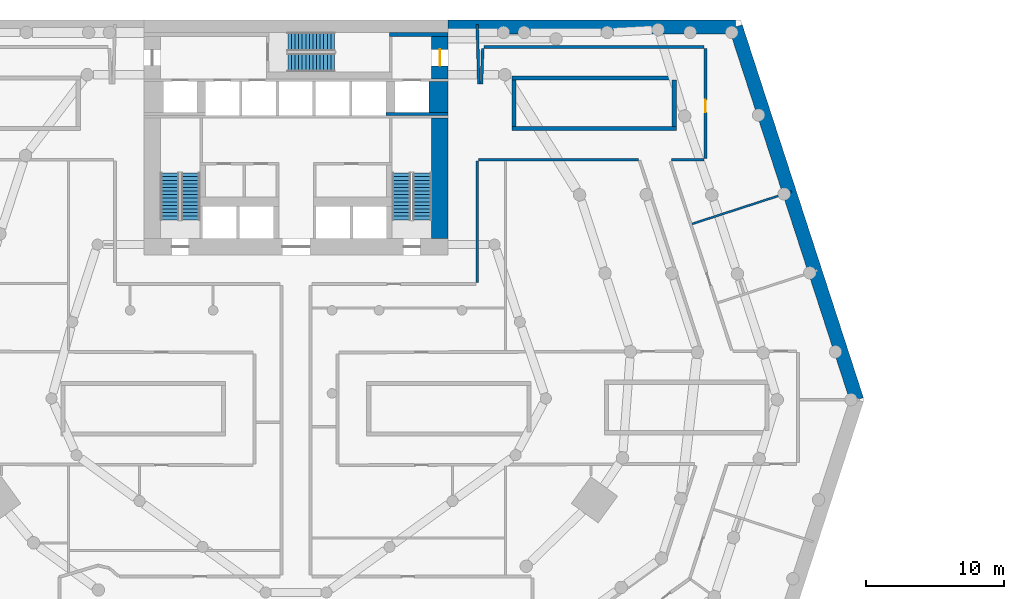
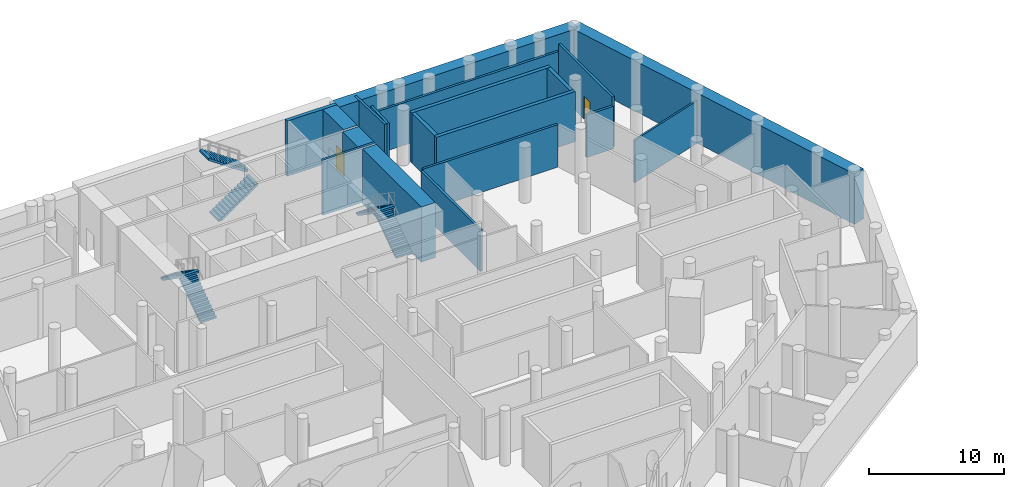
# One storey, part 9 of 10: 19 walls, 6 stair flights, 2 doors, 2 openings, 3 elements without a shape of their own.
"""IFC4 building model written with IfcOpenShell, lengths in metres."""

from ifc_helpers import new_model, si_unit, direction, frame, frame_2d, origin, place, context, subcontext, project, spatial, polyline, rectangle, outline, extrude, material, layer, layer_set, type_object, element, fill, aggregate, save


model = new_model("IFC4")

# Units and contexts
model_context = context("Model", 3, precision=1e-05, world=origin(), true_north=direction((0.0, 1.0)))
body_context = subcontext(model_context, "Body", "Model", "MODEL_VIEW")
ifc_project = project(units=[si_unit("LENGTHUNIT", "METRE"), si_unit("AREAUNIT", "SQUARE_METRE"), si_unit("VOLUMEUNIT", "CUBIC_METRE"), si_unit("PLANEANGLEUNIT", "RADIAN"), si_unit("MASSUNIT", "GRAM", prefix="KILO")], contexts=[model_context])

# Site, building, storey
site_placement = place(None, origin())
site = spatial("IfcSite", under=ifc_project, at=site_placement, CompositionType="ELEMENT")
building_placement = place(site_placement, origin())
building = spatial("IfcBuilding", under=site, at=building_placement, Name="White Candle Pilgrim Tower", CompositionType="ELEMENT")
storey_placement = place(building_placement, frame((0.0, 0.0, -5.0)))
storey = spatial("IfcBuildingStorey", under=building, at=storey_placement, Name="B1", CompositionType="ELEMENT", Elevation=-5.0)

# Wall, opening, door
ifc_material_1 = material(Name="Concrete C70/85", Category="concrete")
ifc_layer_1 = layer(ifc_material_1, 1.199951171875)
ifc_layer_set_1 = layer_set([ifc_layer_1], Name="Core wall 1200 mm Concrete C70/85")
wall_type_1 = type_object("IfcWallType", Name="Core wall 1200 mm Concrete C70/85", PredefinedType="SHEAR", material=ifc_layer_set_1)
wall_1_placement = place(storey_placement, frame((80.39990234375, 83.75, 0.0), z_axis=(0.0, 0.0, 1.0), x_axis=(0.0, 1.0, 0.0)))
wall_1 = element("IfcWall", 1, at=wall_1_placement, inside=storey, type_object=wall_type_1, Name="WL-B1-C35", PredefinedType="SHEAR", context=body_context, shape_type="SweptSolid", body=[
    extrude(rectangle(XDim=3.050048828125, YDim=1.199951171875, at=frame_2d((1.52490234375, 0.0))), origin(), (0.0, 0.0, 1.0), 5.0),
])
opening_1_placement = place(wall_1_placement, frame((0.925048828125, 0.0, 0.0)))
opening_1 = element("IfcOpeningElement", 2, at=opening_1_placement, cuts=wall_1, Name="Opening B1-006", PredefinedType="OPENING", context=body_context, shape_type="SweptSolid", body=[
    extrude(rectangle(XDim=1.199951171875, YDim=2.10009765625, at=frame_2d((0.60009765625, 1.050048828125))), frame((0.0, 0.60986328125, 0.0), z_axis=(0.0, -1.0, 0.0), x_axis=(1.0, 0.0, 0.0)), (0.0, 0.0, 1.0), 1.219970703125),
])
ifc_material_2 = material(Name="Steel door leaf", Category="steel")
door_type_1 = type_object("IfcDoorType", Name="Fire door 1200 x 2100 EI 30", OperationType="NOTDEFINED", PredefinedType="DOOR", material=ifc_material_2)
door_1_placement = place(opening_1_placement, origin())
door_1 = element("IfcDoor", 3, at=door_1_placement, inside=storey, type_object=door_type_1, Name="Door B1-006", OperationType="SINGLE_SWING_RIGHT", OverallHeight=2.10009765625, OverallWidth=1.199951171875, PredefinedType="DOOR", context=body_context, shape_type="SweptSolid", body=[
    extrude(rectangle(XDim=1.199951171875, YDim=2.10009765625, at=frame_2d((0.60009765625, 1.050048828125))), frame((0.0, 0.02490234375, 0.0), z_axis=(0.0, -1.0, 0.0), x_axis=(1.0, 0.0, 0.0)), (0.0, 0.0, 1.0), 0.050048828125),
])
fill(opening_1, door_1)

# Walls
ifc_layer_2 = layer(ifc_material_1, 1.39990234375)
ifc_layer_set_2 = layer_set([ifc_layer_2], Name="Core wall 1400 mm Concrete C70/85")
wall_type_2 = type_object("IfcWallType", Name="Core wall 1400 mm Concrete C70/85", PredefinedType="SHEAR", material=ifc_layer_set_2)
wall_2_placement = place(storey_placement, frame((80.300048828125, 81.300048828125, 0.0), z_axis=(0.0, 0.0, 1.0), x_axis=(0.0, 1.0, 0.0)))
element("IfcWall", 4, at=wall_2_placement, inside=storey, type_object=wall_type_2, Name="WL-B1-C31", PredefinedType="SHEAR", context=body_context, shape_type="SweptSolid", body=[
    extrude(rectangle(XDim=2.25, YDim=1.39990234375, at=frame_2d((1.125, 0.0))), origin(), (0.0, 0.0, 1.0), 5.0),
])
ifc_layer_3 = layer(ifc_material_1, 0.199951171875)
ifc_layer_set_3 = layer_set([ifc_layer_3], Name="Core wall 200 mm Concrete C70/85")
wall_type_3 = type_object("IfcWallType", Name="Core wall 200 mm Concrete C70/85", PredefinedType="SHEAR", material=ifc_layer_set_3)
wall_3_placement = place(storey_placement, frame((76.5, 81.199951171875, 0.0), z_axis=(0.0, 0.0, 1.0), x_axis=(1.0, 0.0, 0.0)))
element("IfcWall", 5, at=wall_3_placement, inside=storey, type_object=wall_type_3, Name="WL-B1-C27", PredefinedType="SHEAR", context=body_context, shape_type="SweptSolid", body=[
    extrude(rectangle(XDim=4.5, YDim=0.199951171875, at=frame_2d((2.25, 0.0))), origin(), (0.0, 0.0, 1.0), 5.0),
])
ifc_material_3 = material(Name="Gypsum board on steel studs", Category="steel")
ifc_layer_4 = layer(ifc_material_3, 0.199951171875)
ifc_layer_set_4 = layer_set([ifc_layer_4], Name="Corridor wall 200 mm EI 45")
wall_type_4 = type_object("IfcWallType", Name="Corridor wall 200 mm EI 45", PredefinedType="PARTITIONING", material=ifc_layer_set_4)
wall_4_placement = place(storey_placement, frame((83.10009765625, 87.677978515625, 0.0), z_axis=(0.0, 0.0, 1.0), x_axis=(0.026025742555, -0.999661272994, 0.0)))
element("IfcWall", 6, at=wall_4_placement, inside=storey, type_object=wall_type_4, Name="WL-B1-P011", PredefinedType="PARTITIONING", context=body_context, shape_type="SweptSolid", body=[
    extrude(rectangle(XDim=4.29638671875, YDim=0.199951171875, at=frame_2d((2.148193359375, 0.0))), origin(), (0.0, 0.0, 1.0), 4.550048828125),
])
wall_5_placement = place(storey_placement, frame((83.411865234375, 83.38232421875, 0.0), z_axis=(0.0, 0.0, 1.0), x_axis=(0.033027267016, 0.999454451005, 0.0)))
element("IfcWall", 7, at=wall_5_placement, inside=storey, type_object=wall_type_4, Name="WL-B1-P012", PredefinedType="PARTITIONING", context=body_context, shape_type="SweptSolid", body=[
    extrude(rectangle(XDim=2.572509765625, YDim=0.199951171875, at=frame_2d((1.2861328125, 0.0))), origin(), (0.0, 0.0, 1.0), 4.550048828125),
])
wall_6_placement = place(storey_placement, frame((83.5966796875, 86.050048828125, 0.0), z_axis=(0.0, 0.0, 1.0), x_axis=(1.0, 0.0, 0.0)))
element("IfcWall", 8, at=wall_6_placement, inside=storey, type_object=wall_type_4, Name="WL-B1-P013", PredefinedType="PARTITIONING", context=body_context, shape_type="SweptSolid", body=[
    extrude(rectangle(XDim=15.9033203125, YDim=0.199951171875, at=frame_2d((7.95166015625, 0.0))), origin(), (0.0, 0.0, 1.0), 3.85009765625),
])

# Wall, opening, door
wall_7_placement = place(storey_placement, frame((99.60009765625, 85.949951171875, 0.0), z_axis=(0.0, 0.0, 1.0), x_axis=(0.0, -1.0, 0.0)))
wall_7 = element("IfcWall", 9, at=wall_7_placement, inside=storey, type_object=wall_type_4, Name="WL-B1-P014", PredefinedType="PARTITIONING", context=body_context, shape_type="SweptSolid", body=[
    extrude(rectangle(XDim=7.949951171875, YDim=0.199951171875, at=frame_2d((3.97509765625, 0.0))), origin(), (0.0, 0.0, 1.0), 4.550048828125),
])
opening_2_placement = place(wall_7_placement, frame((3.735107421875, 0.0, 0.0)))
opening_2 = element("IfcOpeningElement", 10, at=opening_2_placement, cuts=wall_7, Name="Opening B1-120", PredefinedType="OPENING", context=body_context, shape_type="SweptSolid", body=[
    extrude(rectangle(XDim=0.89990234375, YDim=2.10009765625, at=frame_2d((0.449951171875, 1.050048828125))), frame((0.0, 0.10986328125, 0.0), z_axis=(0.0, -1.0, 0.0), x_axis=(1.0, 0.0, 0.0)), (0.0, 0.0, 1.0), 0.219970703125),
])
door_type_2 = type_object("IfcDoorType", Name="Fire door 900 x 2100 EI 30", OperationType="NOTDEFINED", PredefinedType="DOOR", material=ifc_material_2)
door_2_placement = place(opening_2_placement, origin())
door_2 = element("IfcDoor", 11, at=door_2_placement, inside=storey, type_object=door_type_2, Name="Door B1-120", OperationType="SINGLE_SWING_RIGHT", OverallHeight=2.10009765625, OverallWidth=0.89990234375, PredefinedType="DOOR", context=body_context, shape_type="SweptSolid", body=[
    extrude(rectangle(XDim=0.89990234375, YDim=2.10009765625, at=frame_2d((0.449951171875, 1.050048828125))), frame((0.0, 0.02490234375, 0.0), z_axis=(0.0, -1.0, 0.0), x_axis=(1.0, 0.0, 0.0)), (0.0, 0.0, 1.0), 0.050048828125),
])
fill(opening_2, door_2)

# Walls
wall_8_placement = place(storey_placement, frame((99.5, 77.89990234375, 0.0), z_axis=(0.0, 0.0, 1.0), x_axis=(-1.0, 0.0, 0.0)))
element("IfcWall", 12, at=wall_8_placement, inside=storey, type_object=wall_type_4, Name="WL-B1-P015", PredefinedType="PARTITIONING", context=body_context, shape_type="SweptSolid", body=[
    extrude(rectangle(XDim=2.3349609375, YDim=0.199951171875, at=frame_2d((1.16748046875, 0.0))), origin(), (0.0, 0.0, 1.0), 3.85009765625),
])
wall_9_placement = place(storey_placement, frame((94.746826171875, 77.89990234375, 0.0), z_axis=(0.0, 0.0, 1.0), x_axis=(-1.0, 0.0, 0.0)))
element("IfcWall", 13, at=wall_9_placement, inside=storey, type_object=wall_type_4, Name="WL-B1-P029", PredefinedType="PARTITIONING", context=body_context, shape_type="SweptSolid", body=[
    extrude(rectangle(XDim=11.546875, YDim=0.199951171875, at=frame_2d((5.7734375, 0.0))), origin(), (0.0, 0.0, 1.0), 3.85009765625),
])
wall_10_placement = place(storey_placement, frame((83.10009765625, 77.800048828125, 0.0), z_axis=(0.0, 0.0, 1.0), x_axis=(0.0, -1.0, 0.0)))
element("IfcWall", 14, at=wall_10_placement, inside=storey, type_object=wall_type_4, Name="WL-B1-P030", PredefinedType="PARTITIONING", context=body_context, shape_type="SweptSolid", body=[
    extrude(rectangle(XDim=8.800048828125, YDim=0.199951171875, at=frame_2d((4.39990234375, 0.0))), origin(), (0.0, 0.0, 1.0), 3.75),
])
ifc_material_4 = material(Name="Concrete C40/50", Category="concrete")
ifc_layer_5 = layer(ifc_material_4, 1.0)
ifc_layer_set_5 = layer_set([ifc_layer_5], Name="Diaphragm wall 1000")
wall_type_5 = type_object("IfcWallType", Name="Diaphragm wall 1000", PredefinedType="SOLIDWALL", material=ifc_layer_set_5)
wall_11_placement = place(storey_placement, frame((81.0, 87.5, 0.0), z_axis=(0.0, 0.0, 1.0), x_axis=(1.0, 0.0, 0.0)))
element("IfcWall", 15, at=wall_11_placement, inside=storey, type_object=wall_type_5, Name="Diaphragm wall B1-08", PredefinedType="SOLIDWALL", context=body_context, shape_type="SweptSolid", body=[
    extrude(rectangle(XDim=20.794189453125, YDim=1.0, at=frame_2d((10.39697265625, 0.0))), origin(), (0.0, 0.0, 1.0), 4.550048828125),
])
wall_12_placement = place(storey_placement, frame((101.794189453125, 87.5, 0.0), z_axis=(0.0, 0.0, 1.0), x_axis=(0.309015382076, -0.951057040161, 0.0)))
element("IfcWall", 16, at=wall_12_placement, inside=storey, type_object=wall_type_5, Name="Diaphragm wall B1-09", PredefinedType="SOLIDWALL", context=body_context, shape_type="SweptSolid", body=[
    extrude(rectangle(XDim=28.34814453125, YDim=1.0, at=frame_2d((14.174072265625, 0.0))), origin(), (0.0, 0.0, 1.0), 4.550048828125),
])
ifc_layer_6 = layer(ifc_material_3, 0.14990234375)
ifc_layer_set_6 = layer_set([ifc_layer_6], Name="Partition 150 mm EI 60")
wall_type_6 = type_object("IfcWallType", Name="Partition 150 mm EI 60", PredefinedType="PARTITIONING", material=ifc_layer_set_6)
wall_13_placement = place(storey_placement, frame((105.850830078125, 75.597412109375, 0.0), z_axis=(0.0, 0.0, 1.0), x_axis=(-0.951049215908, -0.309039461753, 0.0)))
element("IfcWall", 17, at=wall_13_placement, inside=storey, type_object=wall_type_6, Name="WL-B1-P077", PredefinedType="PARTITIONING", context=body_context, shape_type="SweptSolid", body=[
    extrude(rectangle(XDim=7.580078125, YDim=0.14990234375, at=frame_2d((3.7900390625, 0.0))), origin(), (0.0, 0.0, 1.0), 3.85009765625),
])
ifc_material_5 = material(Name="Concrete C60/75", Category="concrete")
ifc_layer_7 = layer(ifc_material_5, 0.300048828125)
ifc_layer_set_7 = layer_set([ifc_layer_7], Name="Shaft wall 300 mm Concrete C60/75")
wall_type_7 = type_object("IfcWallType", Name="Shaft wall 300 mm Concrete C60/75", PredefinedType="SHEAR", material=ifc_layer_set_7)
for number, where, z_axis, x_axis, name in (
    (18, (85.60009765625, 80.14990234375, 0.0), (0.0, 0.0, 1.0), (1.0, 0.0, 0.0), "WL-B1-PB11S"),
    (19, (85.60009765625, 83.800048828125, 0.0), (0.0, 0.0, 1.0), (1.0, 0.0, 0.0), "WL-B1-PB11N"),
):
    element("IfcWall", number, at=place(storey_placement, frame(where, z_axis=z_axis, x_axis=x_axis)), inside=storey, type_object=wall_type_7, Name=name, PredefinedType="SHEAR", context=body_context, shape_type="SweptSolid", body=[
        extrude(rectangle(XDim=11.89990234375, YDim=0.300048828125, at=frame_2d((5.949951171875, 0.0))), origin(), (0.0, 0.0, 1.0), 4.550048828125),
    ])
for number, where, z_axis, x_axis, name in (
    (20, (85.75, 80.300048828125, 0.0), (0.0, 0.0, 1.0), (0.0, 1.0, 0.0), "WL-B1-PB11W"),
    (21, (97.35009765625, 80.300048828125, 0.0), (0.0, 0.0, 1.0), (0.0, 1.0, 0.0), "WL-B1-PB11E"),
):
    element("IfcWall", number, at=place(storey_placement, frame(where, z_axis=z_axis, x_axis=x_axis)), inside=storey, type_object=wall_type_7, Name=name, PredefinedType="SHEAR", context=body_context, shape_type="SweptSolid", body=[
        extrude(rectangle(XDim=3.349853515625, YDim=0.300048828125, at=frame_2d((1.6748046875, 0.0))), origin(), (0.0, 0.0, 1.0), 4.550048828125),
    ])
ifc_layer_8 = layer(ifc_material_1, 1.199951171875)
ifc_layer_set_8 = layer_set([ifc_layer_8], Name="Stair shaft wall 1200 mm Concrete C70/85")
wall_type_8 = type_object("IfcWallType", Name="Stair shaft wall 1200 mm Concrete C70/85", PredefinedType="SHEAR", material=ifc_layer_set_8)
wall_14_placement = place(storey_placement, frame((80.39990234375, 72.199951171875, 0.0), z_axis=(0.0, 0.0, 1.0), x_axis=(0.0, 1.0, 0.0)))
element("IfcWall", 22, at=wall_14_placement, inside=storey, type_object=wall_type_8, Name="WL-B1-C09", PredefinedType="SHEAR", context=body_context, shape_type="SweptSolid", body=[
    extrude(rectangle(XDim=8.699951171875, YDim=1.199951171875, at=frame_2d((4.35009765625, 0.0))), origin(), (0.0, 0.0, 1.0), 5.0),
])
ifc_layer_9 = layer(ifc_material_1, 0.300048828125)
ifc_layer_set_9 = layer_set([ifc_layer_9], Name="Stair shaft wall 300 mm Concrete C70/85")
wall_type_9 = type_object("IfcWallType", Name="Stair shaft wall 300 mm Concrete C70/85", PredefinedType="SHEAR", material=ifc_layer_set_9)
wall_15_placement = place(storey_placement, frame((76.75, 86.949951171875, 0.0), z_axis=(0.0, 0.0, 1.0), x_axis=(1.0, 0.0, 0.0)))
element("IfcWall", 23, at=wall_15_placement, inside=storey, type_object=wall_type_9, Name="WL-B1-C39", PredefinedType="SHEAR", context=body_context, shape_type="SweptSolid", body=[
    extrude(rectangle(XDim=4.25, YDim=0.300048828125, at=frame_2d((2.125, 0.0))), origin(), (0.0, 0.0, 1.0), 5.0),
])

# Stair, stair flights
stair_type_1 = type_object("IfcStairType", Name="Exit stair 1 flight width 1350 mm", PredefinedType="HALF_TURN_STAIR", material=ifc_material_4)
stair_1_placement = place(storey_placement, origin())
stair_1 = element("IfcStair", 24, at=stair_1_placement, inside=storey, type_object=stair_type_1, Name="B1 stair 1", PredefinedType="NOTDEFINED")
ifc_layer_10 = layer(ifc_material_4, 0.14990234375)
ifc_layer_set_10 = layer_set([ifc_layer_10], Name="Stair flight Concrete C40/50")
stair_flight_type = type_object("IfcStairFlightType", Name="Stair flight Concrete C40/50", PredefinedType="STRAIGHT", material=ifc_layer_set_10)
stair_flight_1_placement = place(storey_placement, frame((62.375, 73.550048828125, 0.0), z_axis=(0.0, 0.0, 1.0), x_axis=(0.0, 1.0, 0.0)))
stair_flight_1 = element("IfcStairFlight", 25, at=stair_flight_1_placement, type_object=stair_flight_type, Name="ST1 flight 1", NumberOfRisers=14, NumberOfTreads=13, PredefinedType="NOTDEFINED", RiserHeight=0.178571429, TreadLength=0.26, context=body_context, shape_type="SweptSolid", body=[
    extrude(outline(polyline([(0.0, 0.0), (0.0, 0.178466796875), (0.260009765625, 0.178466796875), (0.260009765625, 0.357177734375), (0.52001953125, 0.357177734375), (0.52001953125, 0.53564453125), (0.780029296875, 0.53564453125), (0.780029296875, 0.71435546875), (1.0400390625, 0.71435546875), (1.0400390625, 0.892822265625), (1.300048828125, 0.892822265625), (1.300048828125, 1.071533203125), (1.56005859375, 1.071533203125), (1.56005859375, 1.25), (1.820068359375, 1.25), (1.820068359375, 1.428466796875), (2.080078125, 1.428466796875), (2.080078125, 1.607177734375), (2.340087890625, 1.607177734375), (2.340087890625, 1.78564453125), (2.60009765625, 1.78564453125), (2.60009765625, 1.96435546875), (2.860107421875, 1.96435546875), (2.860107421875, 2.142822265625), (3.1201171875, 2.142822265625), (3.1201171875, 2.321533203125), (3.3798828125, 2.321533203125), (3.3798828125, 2.5), (3.3798828125, 2.1396484375), (0.264892578125, 0.0), (0.0, 0.0)])), frame((0.0, 0.675048828125, 0.0), z_axis=(0.0, -1.0, 0.0), x_axis=(1.0, 0.0, 0.0)), (0.0, 0.0, 1.0), 1.35009765625),
])
stair_flight_2_placement = place(storey_placement, frame((60.875, 76.929931640625, 2.5), z_axis=(0.0, 0.0, 1.0), x_axis=(0.0, -1.0, 0.0)))
stair_flight_2 = element("IfcStairFlight", 26, at=stair_flight_2_placement, type_object=stair_flight_type, Name="ST1 flight 2", NumberOfRisers=14, NumberOfTreads=13, PredefinedType="NOTDEFINED", RiserHeight=0.178571429, TreadLength=0.26, context=body_context, shape_type="SweptSolid", body=[
    extrude(outline(polyline([(0.0, 0.0), (0.0, 0.178466796875), (0.260009765625, 0.178466796875), (0.260009765625, 0.357177734375), (0.52001953125, 0.357177734375), (0.52001953125, 0.53564453125), (0.780029296875, 0.53564453125), (0.780029296875, 0.71435546875), (1.0400390625, 0.71435546875), (1.0400390625, 0.892822265625), (1.300048828125, 0.892822265625), (1.300048828125, 1.071533203125), (1.56005859375, 1.071533203125), (1.56005859375, 1.25), (1.820068359375, 1.25), (1.820068359375, 1.428466796875), (2.080078125, 1.428466796875), (2.080078125, 1.607177734375), (2.340087890625, 1.607177734375), (2.340087890625, 1.78564453125), (2.60009765625, 1.78564453125), (2.60009765625, 1.96435546875), (2.860107421875, 1.96435546875), (2.860107421875, 2.142822265625), (3.1201171875, 2.142822265625), (3.1201171875, 2.321533203125), (3.3798828125, 2.321533203125), (3.3798828125, 2.5), (3.3798828125, 2.1396484375), (0.264892578125, 0.0), (0.0, 0.0)])), frame((0.0, 0.675048828125, 0.0), z_axis=(0.0, -1.0, 0.0), x_axis=(1.0, 0.0, 0.0)), (0.0, 0.0, 1.0), 1.35009765625),
])
aggregate(stair_1, [stair_flight_1, stair_flight_2])

stair_type_2 = type_object("IfcStairType", Name="Exit stair 2 flight width 1350 mm", PredefinedType="HALF_TURN_STAIR", material=ifc_material_4)
stair_2_placement = place(storey_placement, origin())
stair_2 = element("IfcStair", 27, at=stair_2_placement, inside=storey, type_object=stair_type_2, Name="B1 stair 2", PredefinedType="NOTDEFINED")
stair_flight_3_placement = place(storey_placement, frame((79.125, 73.550048828125, 0.0), z_axis=(0.0, 0.0, 1.0), x_axis=(0.0, 1.0, 0.0)))
stair_flight_3 = element("IfcStairFlight", 28, at=stair_flight_3_placement, type_object=stair_flight_type, Name="ST2 flight 1", NumberOfRisers=14, NumberOfTreads=13, PredefinedType="NOTDEFINED", RiserHeight=0.178571429, TreadLength=0.26, context=body_context, shape_type="SweptSolid", body=[
    extrude(outline(polyline([(0.0, 0.0), (0.0, 0.178466796875), (0.260009765625, 0.178466796875), (0.260009765625, 0.357177734375), (0.52001953125, 0.357177734375), (0.52001953125, 0.53564453125), (0.780029296875, 0.53564453125), (0.780029296875, 0.71435546875), (1.0400390625, 0.71435546875), (1.0400390625, 0.892822265625), (1.300048828125, 0.892822265625), (1.300048828125, 1.071533203125), (1.56005859375, 1.071533203125), (1.56005859375, 1.25), (1.820068359375, 1.25), (1.820068359375, 1.428466796875), (2.080078125, 1.428466796875), (2.080078125, 1.607177734375), (2.340087890625, 1.607177734375), (2.340087890625, 1.78564453125), (2.60009765625, 1.78564453125), (2.60009765625, 1.96435546875), (2.860107421875, 1.96435546875), (2.860107421875, 2.142822265625), (3.1201171875, 2.142822265625), (3.1201171875, 2.321533203125), (3.3798828125, 2.321533203125), (3.3798828125, 2.5), (3.3798828125, 2.1396484375), (0.264892578125, 0.0), (0.0, 0.0)])), frame((0.0, 0.675048828125, 0.0), z_axis=(0.0, -1.0, 0.0), x_axis=(1.0, 0.0, 0.0)), (0.0, 0.0, 1.0), 1.35009765625),
])
stair_flight_4_placement = place(storey_placement, frame((77.625, 76.929931640625, 2.5), z_axis=(0.0, 0.0, 1.0), x_axis=(0.0, -1.0, 0.0)))
stair_flight_4 = element("IfcStairFlight", 29, at=stair_flight_4_placement, type_object=stair_flight_type, Name="ST2 flight 2", NumberOfRisers=14, NumberOfTreads=13, PredefinedType="NOTDEFINED", RiserHeight=0.178571429, TreadLength=0.26, context=body_context, shape_type="SweptSolid", body=[
    extrude(outline(polyline([(0.0, 0.0), (0.0, 0.178466796875), (0.260009765625, 0.178466796875), (0.260009765625, 0.357177734375), (0.52001953125, 0.357177734375), (0.52001953125, 0.53564453125), (0.780029296875, 0.53564453125), (0.780029296875, 0.71435546875), (1.0400390625, 0.71435546875), (1.0400390625, 0.892822265625), (1.300048828125, 0.892822265625), (1.300048828125, 1.071533203125), (1.56005859375, 1.071533203125), (1.56005859375, 1.25), (1.820068359375, 1.25), (1.820068359375, 1.428466796875), (2.080078125, 1.428466796875), (2.080078125, 1.607177734375), (2.340087890625, 1.607177734375), (2.340087890625, 1.78564453125), (2.60009765625, 1.78564453125), (2.60009765625, 1.96435546875), (2.860107421875, 1.96435546875), (2.860107421875, 2.142822265625), (3.1201171875, 2.142822265625), (3.1201171875, 2.321533203125), (3.3798828125, 2.321533203125), (3.3798828125, 2.5), (3.3798828125, 2.1396484375), (0.264892578125, 0.0), (0.0, 0.0)])), frame((0.0, 0.675048828125, 0.0), z_axis=(0.0, -1.0, 0.0), x_axis=(1.0, 0.0, 0.0)), (0.0, 0.0, 1.0), 1.35009765625),
])
aggregate(stair_2, [stair_flight_3, stair_flight_4])

stair_type_3 = type_object("IfcStairType", Name="Exit stair 3 flight width 1350 mm", PredefinedType="HALF_TURN_STAIR", material=ifc_material_4)
stair_3_placement = place(storey_placement, origin())
stair_3 = element("IfcStair", 30, at=stair_3_placement, inside=storey, type_object=stair_type_3, Name="B1 stair 3", PredefinedType="NOTDEFINED")
stair_flight_5_placement = place(storey_placement, frame((69.39990234375, 84.925048828125, 0.0), z_axis=(0.0, 0.0, 1.0), x_axis=(1.0, 0.0, 0.0)))
stair_flight_5 = element("IfcStairFlight", 31, at=stair_flight_5_placement, type_object=stair_flight_type, Name="ST3 flight 1", NumberOfRisers=14, NumberOfTreads=13, PredefinedType="NOTDEFINED", RiserHeight=0.178571429, TreadLength=0.26, context=body_context, shape_type="SweptSolid", body=[
    extrude(outline(polyline([(0.0, 0.0), (0.0, 0.178466796875), (0.260009765625, 0.178466796875), (0.260009765625, 0.357177734375), (0.52001953125, 0.357177734375), (0.52001953125, 0.53564453125), (0.780029296875, 0.53564453125), (0.780029296875, 0.71435546875), (1.0400390625, 0.71435546875), (1.0400390625, 0.892822265625), (1.300048828125, 0.892822265625), (1.300048828125, 1.071533203125), (1.56005859375, 1.071533203125), (1.56005859375, 1.25), (1.820068359375, 1.25), (1.820068359375, 1.428466796875), (2.080078125, 1.428466796875), (2.080078125, 1.607177734375), (2.340087890625, 1.607177734375), (2.340087890625, 1.78564453125), (2.60009765625, 1.78564453125), (2.60009765625, 1.96435546875), (2.860107421875, 1.96435546875), (2.860107421875, 2.142822265625), (3.1201171875, 2.142822265625), (3.1201171875, 2.321533203125), (3.3798828125, 2.321533203125), (3.3798828125, 2.5), (3.3798828125, 2.1396484375), (0.264892578125, 0.0), (0.0, 0.0)])), frame((0.0, 0.675048828125, 0.0), z_axis=(0.0, -1.0, 0.0), x_axis=(1.0, 0.0, 0.0)), (0.0, 0.0, 1.0), 1.35009765625),
])
stair_flight_6_placement = place(storey_placement, frame((72.780029296875, 86.425048828125, 2.5), z_axis=(0.0, 0.0, 1.0), x_axis=(-1.0, 0.0, 0.0)))
stair_flight_6 = element("IfcStairFlight", 32, at=stair_flight_6_placement, type_object=stair_flight_type, Name="ST3 flight 2", NumberOfRisers=14, NumberOfTreads=13, PredefinedType="NOTDEFINED", RiserHeight=0.178571429, TreadLength=0.26, context=body_context, shape_type="SweptSolid", body=[
    extrude(outline(polyline([(0.0, 0.0), (0.0, 0.178466796875), (0.260009765625, 0.178466796875), (0.260009765625, 0.357177734375), (0.52001953125, 0.357177734375), (0.52001953125, 0.53564453125), (0.780029296875, 0.53564453125), (0.780029296875, 0.71435546875), (1.0400390625, 0.71435546875), (1.0400390625, 0.892822265625), (1.300048828125, 0.892822265625), (1.300048828125, 1.071533203125), (1.56005859375, 1.071533203125), (1.56005859375, 1.25), (1.820068359375, 1.25), (1.820068359375, 1.428466796875), (2.080078125, 1.428466796875), (2.080078125, 1.607177734375), (2.340087890625, 1.607177734375), (2.340087890625, 1.78564453125), (2.60009765625, 1.78564453125), (2.60009765625, 1.96435546875), (2.860107421875, 1.96435546875), (2.860107421875, 2.142822265625), (3.1201171875, 2.142822265625), (3.1201171875, 2.321533203125), (3.3798828125, 2.321533203125), (3.3798828125, 2.5), (3.3798828125, 2.1396484375), (0.264892578125, 0.0), (0.0, 0.0)])), frame((0.0, 0.675048828125, 0.0), z_axis=(0.0, -1.0, 0.0), x_axis=(1.0, 0.0, 0.0)), (0.0, 0.0, 1.0), 1.35009765625),
])
aggregate(stair_3, [stair_flight_5, stair_flight_6])

save(model, "model.ifc")
